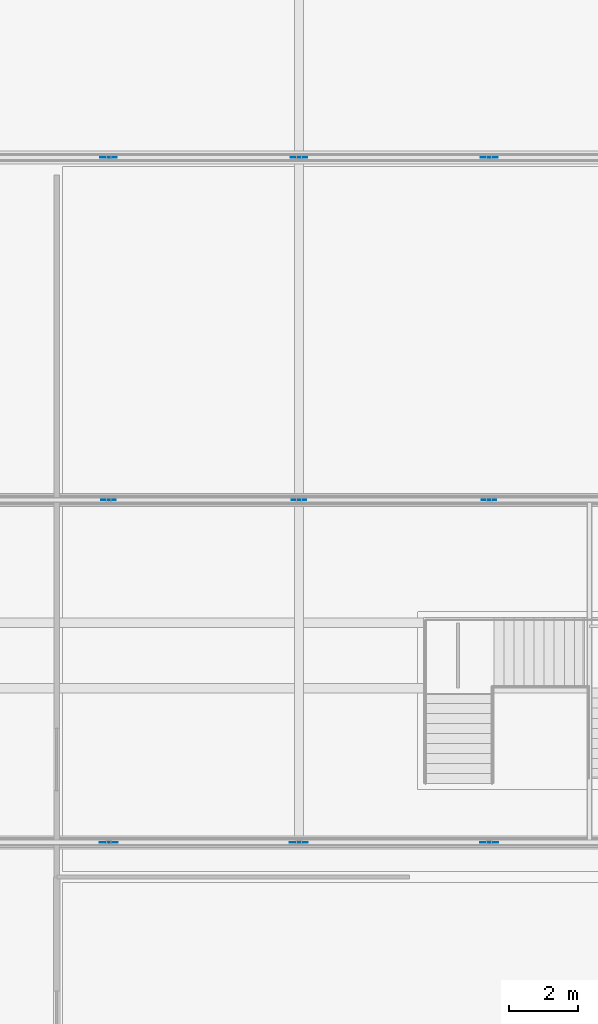
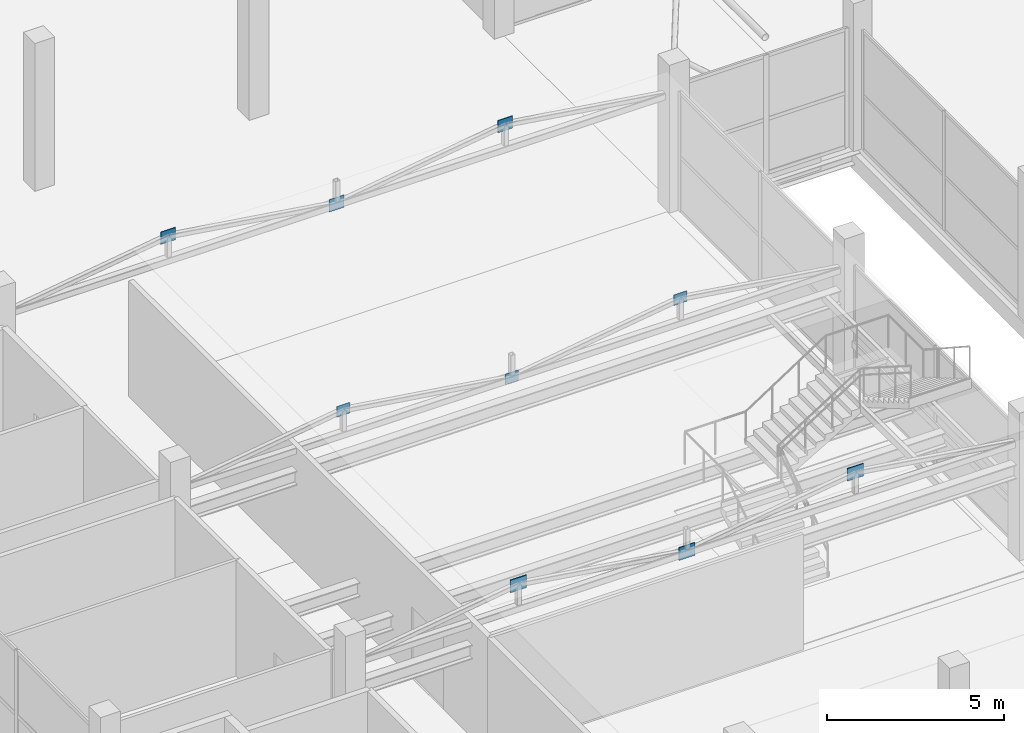
# One storey, part 51 of 66: 9 plates.
"""IFC4 building model written with IfcOpenShell, lengths in metres."""

from ifc_helpers import new_model, si_unit, direction, frame, origin, origin_2d, place, context, subcontext, project, spatial, rectangle, extrude, material, layer, layer_set, type_object, element, save


model = new_model("IFC4")

# Units and contexts
model_context = context("Model", 3, precision=1e-05, world=origin(), true_north=direction((0.0, 1.0)))
body_context = subcontext(model_context, "Body", "Model", "MODEL_VIEW")
ifc_project = project(units=[si_unit("LENGTHUNIT", "METRE"), si_unit("AREAUNIT", "SQUARE_METRE"), si_unit("VOLUMEUNIT", "CUBIC_METRE"), si_unit("PLANEANGLEUNIT", "RADIAN"), si_unit("MASSUNIT", "GRAM", prefix="KILO")], contexts=[model_context])

# Site, building, storey
site_placement = place(None, origin())
site = spatial("IfcSite", under=ifc_project, at=site_placement, CompositionType="ELEMENT")
building_placement = place(site_placement, origin())
building = spatial("IfcBuilding", under=site, at=building_placement, Name="Sillaruma Civic Art Gallery", CompositionType="ELEMENT")
storey_placement = place(building_placement, frame((0.0, 0.0, 57.1201171875)))
storey = spatial("IfcBuildingStorey", under=building, at=storey_placement, Name="L11", CompositionType="ELEMENT", Elevation=57.1201171875)

# Plates
ifc_material = material(Name="Structural Steel ASTM A992 Gr.50", Category="steel")
ifc_layer_1 = layer(ifc_material, 0.01806640625, Name="Structural Steel ASTM A992 Gr.50")
ifc_layer_set_1 = layer_set([ifc_layer_1], Name="Structural Steel ASTM A992 Gr.50")
plate_type_1 = type_object("IfcPlateType", Name="PLT-GUS-18", PredefinedType="SHEET", material=ifc_layer_set_1)
for number, where, z_axis, x_axis, name in (
    (1, (75.5, 59.39990234375, 4.5078125), (0.0, 0.0, 1.0), (1.0, 0.0, 0.0), "Truss Gusset Plate GP-03 (TR-L11-2-1)"),
    (2, (81.0, 59.39990234375, 3.69970703125), (0.0, 0.0, 1.0), (1.0, 0.0, 0.0), "Truss Gusset Plate GP-03 (TR-L11-2-2)"),
    (3, (86.5, 59.39990234375, 4.5078125), (0.0, 0.0, 1.0), (1.0, 0.0, 0.0), "Truss Gusset Plate GP-03 (TR-L11-2-3)"),
):
    element("IfcPlate", number, at=place(storey_placement, frame(where, z_axis=z_axis, x_axis=x_axis)), inside=storey, type_object=plate_type_1, Name=name, PredefinedType="SHEET", context=body_context, shape_type="SweptSolid", body=[
        extrude(rectangle(XDim=0.419921875, YDim=0.01806640625, at=origin_2d()), origin(), (0.0, 0.0, 1.0), 0.360107421875),
    ])
ifc_layer_2 = layer(ifc_material, 0.02197265625, Name="Structural Steel ASTM A992 Gr.50")
ifc_layer_set_2 = layer_set([ifc_layer_2], Name="Structural Steel ASTM A992 Gr.50")
plate_type_2 = type_object("IfcPlateType", Name="PLT-GUS-22", PredefinedType="SHEET", material=ifc_layer_set_2)
for number, where, z_axis, x_axis, name in (
    (4, (75.5, 69.300048828125, 4.47802734375), (0.0, 0.0, 1.0), (1.0, 0.0, 0.0), "Truss Gusset Plate GP-04 (TR-L11-3-1)"),
    (5, (81.0, 69.300048828125, 3.669921875), (0.0, 0.0, 1.0), (1.0, 0.0, 0.0), "Truss Gusset Plate GP-04 (TR-L11-3-2)"),
    (6, (86.5, 69.300048828125, 4.47802734375), (0.0, 0.0, 1.0), (1.0, 0.0, 0.0), "Truss Gusset Plate GP-04 (TR-L11-3-3)"),
):
    element("IfcPlate", number, at=place(storey_placement, frame(where, z_axis=z_axis, x_axis=x_axis)), inside=storey, type_object=plate_type_2, Name=name, PredefinedType="SHEET", context=body_context, shape_type="SweptSolid", body=[
        extrude(rectangle(XDim=0.47998046875, YDim=0.02197265625, at=origin_2d()), origin(), (0.0, 0.0, 1.0), 0.419921875),
    ])
ifc_layer_3 = layer(ifc_material, 0.02392578125, Name="Structural Steel ASTM A992 Gr.50")
ifc_layer_set_3 = layer_set([ifc_layer_3], Name="Structural Steel ASTM A992 Gr.50")
plate_type_3 = type_object("IfcPlateType", Name="PLT-GUS-24", PredefinedType="SHEET", material=ifc_layer_set_3)
for number, where, z_axis, x_axis, name in (
    (7, (75.5, 49.5, 4.468017578125), (0.0, 0.0, 1.0), (1.0, 0.0, 0.0), "Truss Gusset Plate GP-02 (TR-L11-1-1)"),
    (8, (81.0, 49.5, 3.659912109375), (0.0, 0.0, 1.0), (1.0, 0.0, 0.0), "Truss Gusset Plate GP-02 (TR-L11-1-2)"),
    (9, (86.5, 49.5, 4.468017578125), (0.0, 0.0, 1.0), (1.0, 0.0, 0.0), "Truss Gusset Plate GP-02 (TR-L11-1-3)"),
):
    element("IfcPlate", number, at=place(storey_placement, frame(where, z_axis=z_axis, x_axis=x_axis)), inside=storey, type_object=plate_type_3, Name=name, PredefinedType="SHEET", context=body_context, shape_type="SweptSolid", body=[
        extrude(rectangle(XDim=0.52001953125, YDim=0.02392578125, at=origin_2d()), origin(), (0.0, 0.0, 1.0), 0.43994140625),
    ])

save(model, "model.ifc")
